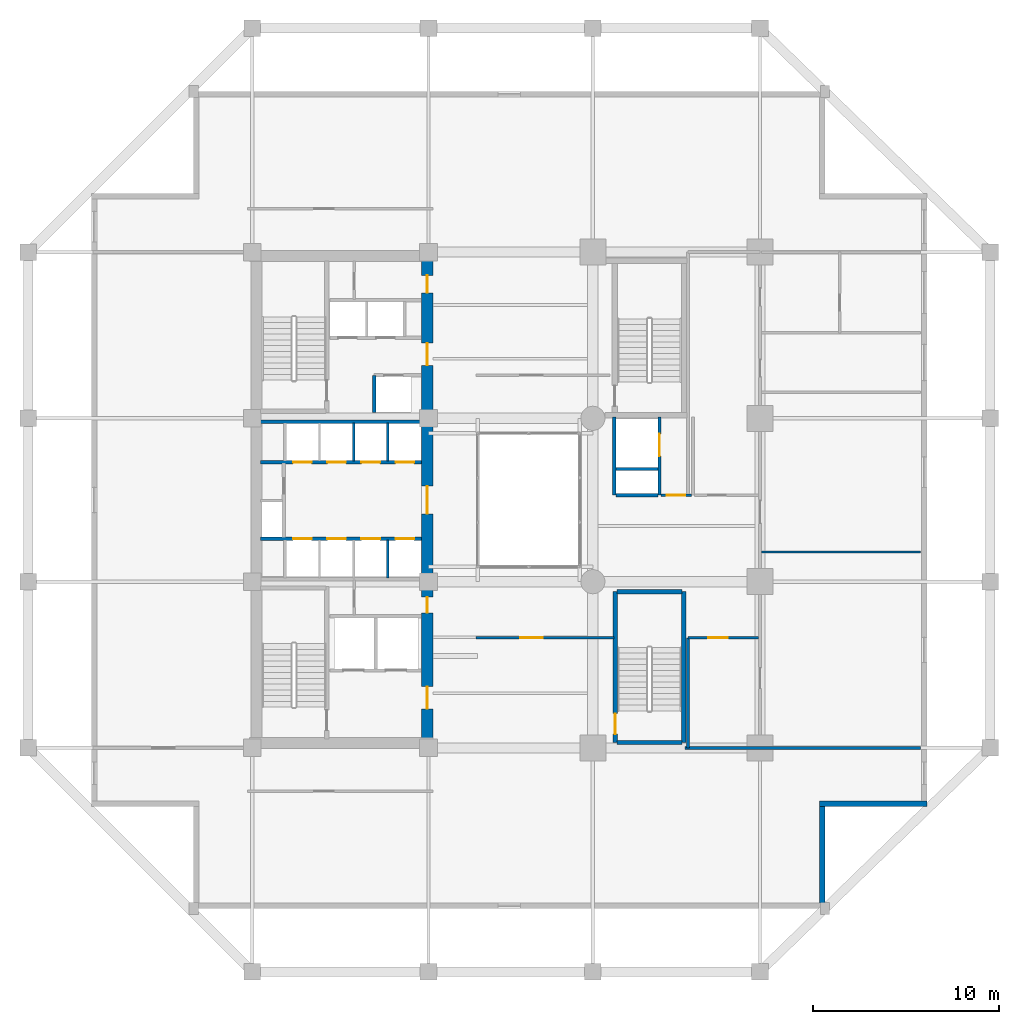
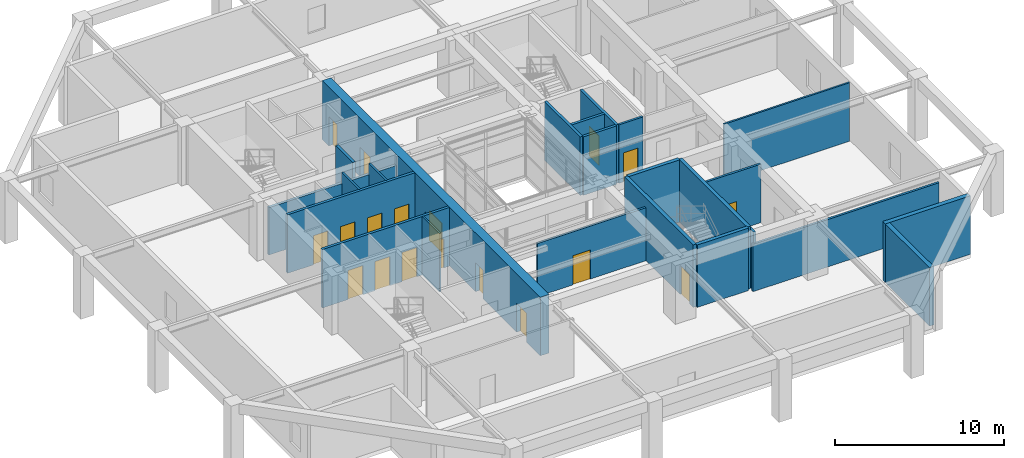
# One storey, part 7 of 10: 24 walls, 18 doors, 18 openings.
"""IFC4 building model written with IfcOpenShell, lengths in metres."""

from ifc_helpers import new_model, si_unit, direction, frame, frame_2d, origin, place, context, subcontext, project, spatial, rectangle, extrude, material, layer, layer_set, type_object, element, fill, save


model = new_model("IFC4")

# Units and contexts
model_context = context("Model", 3, precision=1e-05, world=origin(), true_north=direction((0.0, 1.0)))
body_context = subcontext(model_context, "Body", "Model", "MODEL_VIEW")
ifc_project = project(units=[si_unit("LENGTHUNIT", "METRE"), si_unit("AREAUNIT", "SQUARE_METRE"), si_unit("VOLUMEUNIT", "CUBIC_METRE"), si_unit("PLANEANGLEUNIT", "RADIAN"), si_unit("MASSUNIT", "GRAM", prefix="KILO")], contexts=[model_context])

# Site, building, storey
site_placement = place(None, origin())
site = spatial("IfcSite", under=ifc_project, at=site_placement, CompositionType="ELEMENT")
building_placement = place(site_placement, origin())
building = spatial("IfcBuilding", under=site, at=building_placement, Name="Kundavana Baori Tower", CompositionType="ELEMENT")
storey_placement = place(building_placement, frame((0.0, 0.0, 12.5)))
storey = spatial("IfcBuildingStorey", under=building, at=storey_placement, Name="L02", CompositionType="ELEMENT", Elevation=12.5)

# Wall, opening, door
ifc_material_1 = material(Name="Concrete C50/60", Category="concrete")
ifc_layer_1 = layer(ifc_material_1, 0.39990234375, Name="WL-CORE-400")
ifc_layer_set_1 = layer_set([ifc_layer_1], Name="Concrete C50/60")
wall_type_1 = type_object("IfcWallType", Name="WL-CORE-400", PredefinedType="SHEAR", material=ifc_layer_set_1)
wall_1_placement = place(storey_placement, frame((35.010009765625, 15.5400390625, 0.0), z_axis=(0.0, 0.0, 1.0), x_axis=(0.0, 1.0, 0.0)))
wall_1 = element("IfcWall", 1, at=wall_1_placement, inside=storey, type_object=wall_type_1, Name="WL-L02-ST4-W", PredefinedType="SHEAR", context=body_context, shape_type="SweptSolid", body=[
    extrude(rectangle(XDim=8.119873046875, YDim=0.239990234375, at=frame_2d((4.06005859375, 0.0))), origin(), (0.0, 0.0, 1.0), 4.5),
])
opening_1_placement = place(wall_1_placement, frame((0.449951171875, 0.0, 0.0)))
opening_1 = element("IfcOpeningElement", 2, at=opening_1_placement, cuts=wall_1, Name="Opening FD-110", PredefinedType="OPENING", context=body_context, shape_type="SweptSolid", body=[
    extrude(rectangle(XDim=1.10009765625, YDim=2.10009765625, at=frame_2d((0.550048828125, 1.050048828125))), frame((0.0, 0.1298828125, 0.0), z_axis=(0.0, -1.0, 0.0), x_axis=(1.0, 0.0, 0.0)), (0.0, 0.0, 1.0), 0.260009765625),
])
ifc_material_2 = material(Name="Galvanised Steel Fire-Rated Door Leaf", Category="steel")
door_type_1 = type_object("IfcDoorType", Name="DR-FD120-1100", OperationType="NOTDEFINED", PredefinedType="DOOR", material=ifc_material_2)
door_1_placement = place(opening_1_placement, origin())
door_1 = element("IfcDoor", 3, at=door_1_placement, inside=storey, type_object=door_type_1, Name="DR-L02-ST4", OperationType="SINGLE_SWING_RIGHT", OverallHeight=2.10009765625, OverallWidth=1.10009765625, PredefinedType="DOOR", context=body_context, shape_type="SweptSolid", body=[
    extrude(rectangle(XDim=1.10009765625, YDim=2.10009765625, at=frame_2d((0.550048828125, 1.050048828125))), frame((0.0, 0.02490234375, 0.0), z_axis=(0.0, -1.0, 0.0), x_axis=(1.0, 0.0, 0.0)), (0.0, 0.0, 1.0), 0.050048828125),
])
fill(opening_1, door_1)

# Walls
wall_2_placement = place(storey_placement, frame((38.68994140625, 15.5400390625, 0.0), z_axis=(0.0, 0.0, 1.0), x_axis=(0.0, 1.0, 0.0)))
element("IfcWall", 4, at=wall_2_placement, inside=storey, type_object=wall_type_1, Name="WL-L02-ST4-E", PredefinedType="SHEAR", context=body_context, shape_type="SweptSolid", body=[
    extrude(rectangle(XDim=8.119873046875, YDim=0.239990234375, at=frame_2d((4.06005859375, 0.0))), origin(), (0.0, 0.0, 1.0), 4.5),
])
for number, where, z_axis, x_axis, name in (
    (5, (35.10009765625, 15.5400390625, 0.0), (0.0, 0.0, 1.0), (1.0, 0.0, 0.0), "WL-L02-ST4-S"),
    (6, (35.10009765625, 23.659912109375, 0.0), (0.0, 0.0, 1.0), (1.0, 0.0, 0.0), "WL-L02-ST4-N"),
):
    element("IfcWall", number, at=place(storey_placement, frame(where, z_axis=z_axis, x_axis=x_axis)), inside=storey, type_object=wall_type_1, Name=name, PredefinedType="SHEAR", context=body_context, shape_type="SweptSolid", body=[
        extrude(rectangle(XDim=3.5, YDim=0.239990234375, at=frame_2d((1.75, 0.0))), origin(), (0.0, 0.0, 1.0), 4.5),
    ])

# Wall, openings, doors
ifc_material_3 = material(Name="Concrete C60/75", Category="concrete")
ifc_layer_2 = layer(ifc_material_3, 0.60009765625, Name="WL-CORE-600")
ifc_layer_set_2 = layer_set([ifc_layer_2], Name="Concrete C60/75")
wall_type_2 = type_object("IfcWallType", Name="WL-CORE-600", PredefinedType="SHEAR", material=ifc_layer_set_2)
wall_3_placement = place(storey_placement, frame((24.8798828125, 15.739990234375, 0.0), z_axis=(0.0, 0.0, 1.0), x_axis=(0.0, 1.0, 0.0)))
wall_3 = element("IfcWall", 7, at=wall_3_placement, inside=storey, type_object=wall_type_2, Name="L02 Offset Core East Shear Wall", PredefinedType="SHEAR", context=body_context, shape_type="SweptSolid", body=[
    extrude(rectangle(XDim=25.760009765625, YDim=0.60009765625, at=frame_2d((12.8798828125, 0.0))), origin(), (0.0, 0.0, 1.0), 4.219970703125),
])
opening_2_placement = place(wall_3_placement, frame((1.610107421875, 0.0, 0.0)))
opening_2 = element("IfcOpeningElement", 8, at=opening_2_placement, cuts=wall_3, Name="Opening FD-120", PredefinedType="OPENING", context=body_context, shape_type="SweptSolid", body=[
    extrude(rectangle(XDim=1.199951171875, YDim=2.10009765625, at=frame_2d((0.60009765625, 1.050048828125))), frame((0.0, 0.31005859375, 0.0), z_axis=(0.0, -1.0, 0.0), x_axis=(1.0, 0.0, 0.0)), (0.0, 0.0, 1.0), 0.6201171875),
])
opening_3_placement = place(wall_3_placement, frame((6.780029296875, 0.0, 0.0)))
opening_3 = element("IfcOpeningElement", 9, at=opening_3_placement, cuts=wall_3, Name="Opening FD-085", PredefinedType="OPENING", context=body_context, shape_type="SweptSolid", body=[
    extrude(rectangle(XDim=0.85009765625, YDim=2.06005859375, at=frame_2d((0.425048828125, 1.030029296875))), frame((0.0, 0.31005859375, 0.0), z_axis=(0.0, -1.0, 0.0), x_axis=(1.0, 0.0, 0.0)), (0.0, 0.0, 1.0), 0.6201171875),
])
opening_4_placement = place(wall_3_placement, frame((12.110107421875, 0.0, 0.0)))
opening_4 = element("IfcOpeningElement", 10, at=opening_4_placement, cuts=wall_3, Name="Opening FD-150", PredefinedType="OPENING", context=body_context, shape_type="SweptSolid", body=[
    extrude(rectangle(XDim=1.5, YDim=2.1201171875, at=frame_2d((0.75, 1.06005859375))), frame((0.0, 0.31005859375, 0.0), z_axis=(0.0, -1.0, 0.0), x_axis=(1.0, 0.0, 0.0)), (0.0, 0.0, 1.0), 0.6201171875),
])
opening_5_placement = place(wall_3_placement, frame((20.110107421875, 0.0, 0.0)))
opening_5 = element("IfcOpeningElement", 11, at=opening_5_placement, cuts=wall_3, Name="Opening FD-122", PredefinedType="OPENING", context=body_context, shape_type="SweptSolid", body=[
    extrude(rectangle(XDim=1.199951171875, YDim=2.1201171875, at=frame_2d((0.60009765625, 1.06005859375))), frame((0.0, 0.31005859375, 0.0), z_axis=(0.0, -1.0, 0.0), x_axis=(1.0, 0.0, 0.0)), (0.0, 0.0, 1.0), 0.6201171875),
])
opening_6_placement = place(wall_3_placement, frame((24.010009765625, 0.0, 0.0)))
opening_6 = element("IfcOpeningElement", 12, at=opening_6_placement, cuts=wall_3, Name="Opening FD-095", PredefinedType="OPENING", context=body_context, shape_type="SweptSolid", body=[
    extrude(rectangle(XDim=0.949951171875, YDim=2.10009765625, at=frame_2d((0.47509765625, 1.050048828125))), frame((0.0, 0.31005859375, 0.0), z_axis=(0.0, -1.0, 0.0), x_axis=(1.0, 0.0, 0.0)), (0.0, 0.0, 1.0), 0.6201171875),
])
ifc_material_4 = material(Name="Galvanised Steel Fire-Rated Door Leaf", Category="steel")
door_type_2 = type_object("IfcDoorType", Name="DR-FD120-1200", OperationType="NOTDEFINED", PredefinedType="DOOR", material=ifc_material_4)
door_2_placement = place(opening_2_placement, frame((1.199951171875, 0.0, 0.0), z_axis=(0.0, 0.0, 1.0), x_axis=(-1.0, 0.0, 0.0)))
door_2 = element("IfcDoor", 13, at=door_2_placement, inside=storey, type_object=door_type_2, Name="DR-L02-FFLOB-E", OperationType="SINGLE_SWING_RIGHT", OverallHeight=2.10009765625, OverallWidth=1.199951171875, PredefinedType="DOOR", context=body_context, shape_type="SweptSolid", body=[
    extrude(rectangle(XDim=1.199951171875, YDim=2.10009765625, at=frame_2d((0.60009765625, 1.050048828125))), frame((0.0, 0.02490234375, 0.0), z_axis=(0.0, -1.0, 0.0), x_axis=(1.0, 0.0, 0.0)), (0.0, 0.0, 1.0), 0.050048828125),
])
fill(opening_2, door_2)
ifc_material_5 = material(Name="Galvanised Steel Fire-Rated Door Leaf", Category="steel")
door_type_3 = type_object("IfcDoorType", Name="DR-FD60-1200", OperationType="NOTDEFINED", PredefinedType="DOOR", material=ifc_material_5)
door_3_placement = place(opening_5_placement, frame((1.199951171875, 0.0, 0.0), z_axis=(0.0, 0.0, 1.0), x_axis=(-1.0, 0.0, 0.0)))
door_3 = element("IfcDoor", 14, at=door_3_placement, inside=storey, type_object=door_type_3, Name="DR-L02-HRLOB-E", OperationType="SINGLE_SWING_RIGHT", OverallHeight=2.1201171875, OverallWidth=1.199951171875, PredefinedType="DOOR", context=body_context, shape_type="SweptSolid", body=[
    extrude(rectangle(XDim=1.199951171875, YDim=2.1201171875, at=frame_2d((0.60009765625, 1.06005859375))), frame((0.0, 0.02490234375, 0.0), z_axis=(0.0, -1.0, 0.0), x_axis=(1.0, 0.0, 0.0)), (0.0, 0.0, 1.0), 0.050048828125),
])
fill(opening_5, door_3)
ifc_material_6 = material(Name="Galvanised Steel Fire-Rated Door Leaf", Category="steel")
door_type_4 = type_object("IfcDoorType", Name="DR-FD60-1500", OperationType="NOTDEFINED", PredefinedType="DOOR", material=ifc_material_6)
door_4_placement = place(opening_4_placement, frame((1.5, 0.0, 0.0), z_axis=(0.0, 0.0, 1.0), x_axis=(-1.0, 0.0, 0.0)))
door_4 = element("IfcDoor", 15, at=door_4_placement, inside=storey, type_object=door_type_4, Name="DR-L02-LIFTHALL-E", OperationType="SINGLE_SWING_LEFT", OverallHeight=2.1201171875, OverallWidth=1.5, PredefinedType="DOOR", context=body_context, shape_type="SweptSolid", body=[
    extrude(rectangle(XDim=1.5, YDim=2.1201171875, at=frame_2d((0.75, 1.06005859375))), frame((0.0, 0.02490234375, 0.0), z_axis=(0.0, -1.0, 0.0), x_axis=(1.0, 0.0, 0.0)), (0.0, 0.0, 1.0), 0.050048828125),
])
fill(opening_4, door_4)
ifc_material_7 = material(Name="Galvanised Steel Fire-Rated Door Leaf", Category="steel")
door_type_5 = type_object("IfcDoorType", Name="DR-FD60-850", OperationType="NOTDEFINED", PredefinedType="DOOR", material=ifc_material_7)
door_5_placement = place(opening_3_placement, frame((0.85009765625, 0.0, 0.0), z_axis=(0.0, 0.0, 1.0), x_axis=(-1.0, 0.0, 0.0)))
door_5 = element("IfcDoor", 16, at=door_5_placement, inside=storey, type_object=door_type_5, Name="DR-L02-CSMK2", OperationType="SINGLE_SWING_LEFT", OverallHeight=2.06005859375, OverallWidth=0.85009765625, PredefinedType="DOOR", context=body_context, shape_type="SweptSolid", body=[
    extrude(rectangle(XDim=0.85009765625, YDim=2.06005859375, at=frame_2d((0.425048828125, 1.030029296875))), frame((0.0, 0.02490234375, 0.0), z_axis=(0.0, -1.0, 0.0), x_axis=(1.0, 0.0, 0.0)), (0.0, 0.0, 1.0), 0.050048828125),
])
fill(opening_3, door_5)
ifc_material_8 = material(Name="Engineered Teak Fire-Rated Timber Door Leaf", Category="wood")
door_type_6 = type_object("IfcDoorType", Name="DR-FD60-950", OperationType="NOTDEFINED", PredefinedType="DOOR", material=ifc_material_8)
door_6_placement = place(opening_6_placement, frame((0.949951171875, 0.0, 0.0), z_axis=(0.0, 0.0, 1.0), x_axis=(-1.0, 0.0, 0.0)))
door_6 = element("IfcDoor", 17, at=door_6_placement, inside=storey, type_object=door_type_6, Name="DR-L02-CSRV2", OperationType="SINGLE_SWING_LEFT", OverallHeight=2.10009765625, OverallWidth=0.949951171875, PredefinedType="DOOR", context=body_context, shape_type="SweptSolid", body=[
    extrude(rectangle(XDim=0.949951171875, YDim=2.10009765625, at=frame_2d((0.47509765625, 1.050048828125))), frame((0.0, 0.02490234375, 0.0), z_axis=(0.0, -1.0, 0.0), x_axis=(1.0, 0.0, 0.0)), (0.0, 0.0, 1.0), 0.050048828125),
])
fill(opening_6, door_6)

# Walls
ifc_material_9 = material(Name="Red-Buff Dholpur Sandstone Cladding on Concrete C40/50", Category="masonry")
ifc_layer_3 = layer(ifc_material_9, 0.300048828125, Name="WL-EXT-SAND-300")
ifc_layer_set_3 = layer_set([ifc_layer_3], Name="Red-Buff Dholpur Sandstone Cladding on Concrete C40/50")
wall_type_3 = type_object("IfcWallType", Name="WL-EXT-SAND-300", PredefinedType="STANDARD", material=ifc_layer_set_3)
wall_4_placement = place(storey_placement, frame((46.14990234375, 6.89990234375, 0.0), z_axis=(0.0, 0.0, 1.0), x_axis=(0.0, 1.0, 0.0)))
element("IfcWall", 18, at=wall_4_placement, inside=storey, type_object=wall_type_3, Name="L02 Exterior Insulated Facade Wall 02", PredefinedType="STANDARD", context=body_context, shape_type="SweptSolid", body=[
    extrude(rectangle(XDim=5.2001953125, YDim=0.300048828125, at=frame_2d((2.60009765625, 0.0))), origin(), (0.0, 0.0, 1.0), 4.219970703125),
])
wall_5_placement = place(storey_placement, frame((46.0, 12.25, 0.0), z_axis=(0.0, 0.0, 1.0), x_axis=(1.0, 0.0, 0.0)))
element("IfcWall", 19, at=wall_5_placement, inside=storey, type_object=wall_type_3, Name="L02 Exterior Insulated Facade Wall 03", PredefinedType="STANDARD", context=body_context, shape_type="SweptSolid", body=[
    extrude(rectangle(XDim=5.800048828125, YDim=0.300048828125, at=frame_2d((2.89990234375, 0.0))), origin(), (0.0, 0.0, 1.0), 4.219970703125),
])
ifc_material_10 = material(Name="Acoustic Gypsum Plasterboard on Galvanised Steel Studs", Category="steel")
ifc_layer_4 = layer(ifc_material_10, 0.1201171875, Name="WL-PART-120")
ifc_layer_set_4 = layer_set([ifc_layer_4], Name="Acoustic Gypsum Plasterboard on Galvanised Steel Studs")
wall_type_4 = type_object("IfcWallType", Name="WL-PART-120", PredefinedType="PARTITIONING", material=ifc_layer_set_4)
for number, where, z_axis, x_axis, name in (
    (20, (22.760009765625, 24.39990234375, 0.0), (0.0, 0.0, 1.0), (0.0, 1.0, 0.0), "WL-L02-LPLOW-D3"),
    (21, (20.919921875, 30.699951171875, 0.0), (0.0, 0.0, 1.0), (0.0, 1.0, 0.0), "WL-L02-LPMID-D2"),
    (22, (22.760009765625, 30.699951171875, 0.0), (0.0, 0.0, 1.0), (0.0, 1.0, 0.0), "WL-L02-LPMID-D3"),
):
    element("IfcWall", number, at=place(storey_placement, frame(where, z_axis=z_axis, x_axis=x_axis)), inside=storey, type_object=wall_type_4, Name=name, PredefinedType="PARTITIONING", context=body_context, shape_type="SweptSolid", body=[
        extrude(rectangle(XDim=2.050048828125, YDim=0.1201171875, at=frame_2d((1.02490234375, 0.0))), origin(), (0.0, 0.0, 1.0), 4.219970703125),
    ])
wall_6_placement = place(storey_placement, frame((42.8798828125, 25.800048828125, 0.0), z_axis=(0.0, 0.0, 1.0), x_axis=(1.0, 0.0, 0.0)))
element("IfcWall", 23, at=wall_6_placement, inside=storey, type_object=wall_type_4, Name="WL-L02-ED1", PredefinedType="PARTITIONING", context=body_context, shape_type="SweptSolid", body=[
    extrude(rectangle(XDim=8.570068359375, YDim=0.1201171875, at=frame_2d((4.28515625, 0.0))), origin(), (0.0, 0.0, 1.0), 4.219970703125),
])

# Wall, opening, door
ifc_material_11 = material(Name="Fire-Rated Gypsum Drywall on Galvanised Steel Studs", Category="steel")
ifc_layer_5 = layer(ifc_material_11, 0.14990234375, Name="WL-PART-150")
ifc_layer_set_5 = layer_set([ifc_layer_5], Name="Fire-Rated Gypsum Drywall on Galvanised Steel Studs")
wall_type_5 = type_object("IfcWallType", Name="WL-PART-150", PredefinedType="PARTITIONING", material=ifc_layer_set_5)
wall_7_placement = place(storey_placement, frame((37.47998046875, 28.860107421875, 0.0), z_axis=(0.0, 0.0, 1.0), x_axis=(1.0, 0.0, 0.0)))
wall_7 = element("IfcWall", 24, at=wall_7_placement, inside=storey, type_object=wall_type_5, Name="WL-L02-SVLOB-S", PredefinedType="PARTITIONING", context=body_context, shape_type="SweptSolid", body=[
    extrude(rectangle(XDim=1.64013671875, YDim=0.14990234375, at=frame_2d((0.820068359375, 0.0))), origin(), (0.0, 0.0, 1.0), 4.219970703125),
])
opening_7_placement = place(wall_7_placement, frame((0.300048828125, 0.0, 0.0)))
opening_7 = element("IfcOpeningElement", 25, at=opening_7_placement, cuts=wall_7, Name="Opening FD-100", PredefinedType="OPENING", context=body_context, shape_type="SweptSolid", body=[
    extrude(rectangle(XDim=1.0, YDim=2.10009765625, at=frame_2d((0.5, 1.050048828125))), frame((0.0, 0.0849609375, 0.0), z_axis=(0.0, -1.0, 0.0), x_axis=(1.0, 0.0, 0.0)), (0.0, 0.0, 1.0), 0.169921875),
])
ifc_material_12 = material(Name="Engineered Teak Fire-Rated Timber Door Leaf", Category="wood")
door_type_7 = type_object("IfcDoorType", Name="DR-FD60-1000", OperationType="NOTDEFINED", PredefinedType="DOOR", material=ifc_material_12)
door_7_placement = place(opening_7_placement, origin())
door_7 = element("IfcDoor", 26, at=door_7_placement, inside=storey, type_object=door_type_7, Name="DR-L02-SVLOB-OUT", OperationType="SINGLE_SWING_LEFT", OverallHeight=2.10009765625, OverallWidth=1.0, PredefinedType="DOOR", context=body_context, shape_type="SweptSolid", body=[
    extrude(rectangle(XDim=1.0, YDim=2.10009765625, at=frame_2d((0.5, 1.050048828125))), frame((0.0, 0.02490234375, 0.0), z_axis=(0.0, -1.0, 0.0), x_axis=(1.0, 0.0, 0.0)), (0.0, 0.0, 1.0), 0.050048828125),
])
fill(opening_7, door_7)

wall_8_placement = place(storey_placement, frame((27.5, 21.179931640625, 0.0), z_axis=(0.0, 0.0, 1.0), x_axis=(1.0, 0.0, 0.0)))
wall_8 = element("IfcWall", 27, at=wall_8_placement, inside=storey, type_object=wall_type_5, Name="WL-L02-PODS", PredefinedType="PARTITIONING", context=body_context, shape_type="SweptSolid", body=[
    extrude(rectangle(XDim=7.449951171875, YDim=0.14990234375, at=frame_2d((3.72509765625, 0.0))), origin(), (0.0, 0.0, 1.0), 3.820068359375),
])
opening_8_placement = place(wall_8_placement, frame((2.39990234375, 0.0, 0.0)))
opening_8 = element("IfcOpeningElement", 28, at=opening_8_placement, cuts=wall_8, Name="Opening ID-120", PredefinedType="OPENING", context=body_context, shape_type="SweptSolid", body=[
    extrude(rectangle(XDim=1.199951171875, YDim=2.10009765625, at=frame_2d((0.60009765625, 1.050048828125))), frame((0.0, 0.0849609375, 0.0), z_axis=(0.0, -1.0, 0.0), x_axis=(1.0, 0.0, 0.0)), (0.0, 0.0, 1.0), 0.169921875),
])
ifc_material_13 = material(Name="Engineered Teak Solid-Core Timber Veneer", Category="wood")
door_type_8 = type_object("IfcDoorType", Name="DR-INT-1200", OperationType="NOTDEFINED", PredefinedType="DOOR", material=ifc_material_13)
door_8_placement = place(opening_8_placement, frame((1.199951171875, 0.0, 0.0), z_axis=(0.0, 0.0, 1.0), x_axis=(-1.0, 0.0, 0.0)))
door_8 = element("IfcDoor", 29, at=door_8_placement, inside=storey, type_object=door_type_8, Name="DR-L02-RETS", OperationType="SINGLE_SWING_LEFT", OverallHeight=2.10009765625, OverallWidth=1.199951171875, PredefinedType="DOOR", context=body_context, shape_type="SweptSolid", body=[
    extrude(rectangle(XDim=1.199951171875, YDim=2.10009765625, at=frame_2d((0.60009765625, 1.050048828125))), frame((0.0, 0.02490234375, 0.0), z_axis=(0.0, -1.0, 0.0), x_axis=(1.0, 0.0, 0.0)), (0.0, 0.0, 1.0), 0.050048828125),
])
fill(opening_8, door_8)

# Wall
wall_9_placement = place(storey_placement, frame((38.75, 15.25, 0.0), z_axis=(0.0, 0.0, 1.0), x_axis=(1.0, 0.0, 0.0)))
element("IfcWall", 30, at=wall_9_placement, inside=storey, type_object=wall_type_5, Name="WL-L02-PODE-S", PredefinedType="PARTITIONING", context=body_context, shape_type="SweptSolid", body=[
    extrude(rectangle(XDim=12.699951171875, YDim=0.14990234375, at=frame_2d((6.35009765625, 0.0))), origin(), (0.0, 0.0, 1.0), 3.419921875),
])

# Wall, opening, door
wall_10_placement = place(storey_placement, frame((38.919921875, 21.179931640625, 0.0), z_axis=(0.0, 0.0, 1.0), x_axis=(1.0, 0.0, 0.0)))
wall_10 = element("IfcWall", 31, at=wall_10_placement, inside=storey, type_object=wall_type_5, Name="WL-L02-PSEBN", PredefinedType="PARTITIONING", context=body_context, shape_type="SweptSolid", body=[
    extrude(rectangle(XDim=3.800048828125, YDim=0.14990234375, at=frame_2d((1.89990234375, 0.0))), origin(), (0.0, 0.0, 1.0), 4.219970703125),
])
opening_9_placement = place(wall_10_placement, frame((1.10009765625, 0.0, 0.0)))
opening_9 = element("IfcOpeningElement", 32, at=opening_9_placement, cuts=wall_10, Name="Opening ID-105", PredefinedType="OPENING", context=body_context, shape_type="SweptSolid", body=[
    extrude(rectangle(XDim=1.050048828125, YDim=2.10009765625, at=frame_2d((0.52490234375, 1.050048828125))), frame((0.0, 0.0849609375, 0.0), z_axis=(0.0, -1.0, 0.0), x_axis=(1.0, 0.0, 0.0)), (0.0, 0.0, 1.0), 0.169921875),
])
ifc_material_14 = material(Name="Engineered Teak Solid-Core Timber Veneer", Category="wood")
door_type_9 = type_object("IfcDoorType", Name="DR-INT-1050", OperationType="NOTDEFINED", PredefinedType="DOOR", material=ifc_material_14)
door_9_placement = place(opening_9_placement, origin())
door_9 = element("IfcDoor", 33, at=door_9_placement, inside=storey, type_object=door_type_9, Name="DR-L02-BKSE", OperationType="SINGLE_SWING_LEFT", OverallHeight=2.10009765625, OverallWidth=1.050048828125, PredefinedType="DOOR", context=body_context, shape_type="SweptSolid", body=[
    extrude(rectangle(XDim=1.050048828125, YDim=2.10009765625, at=frame_2d((0.52490234375, 1.050048828125))), frame((0.0, 0.02490234375, 0.0), z_axis=(0.0, -1.0, 0.0), x_axis=(1.0, 0.0, 0.0)), (0.0, 0.0, 1.0), 0.050048828125),
])
fill(opening_9, door_9)

# Wall
wall_11_placement = place(storey_placement, frame((38.919921875, 15.25, 0.0), z_axis=(0.0, 0.0, 1.0), x_axis=(0.0, 1.0, 0.0)))
element("IfcWall", 34, at=wall_11_placement, inside=storey, type_object=wall_type_5, Name="WL-L02-PSEBW", PredefinedType="PARTITIONING", context=body_context, shape_type="SweptSolid", body=[
    extrude(rectangle(XDim=5.929931640625, YDim=0.14990234375, at=frame_2d((2.96484375, 0.0))), origin(), (0.0, 0.0, 1.0), 4.219970703125),
])

# Wall, openings, doors
ifc_material_15 = material(Name="Autoclaved Aerated Concrete Blockwork Masonry", Category="masonry")
ifc_layer_6 = layer(ifc_material_15, 0.179931640625, Name="WL-SHAFT-180")
ifc_layer_set_6 = layer_set([ifc_layer_6], Name="Autoclaved Aerated Concrete Blockwork Masonry")
wall_type_6 = type_object("IfcWallType", Name="WL-SHAFT-180", PredefinedType="SOLIDWALL", material=ifc_layer_set_6)
wall_12_placement = place(storey_placement, frame((15.89990234375, 26.52001953125, 0.0), z_axis=(0.0, 0.0, 1.0), x_axis=(1.0, 0.0, 0.0)))
wall_12 = element("IfcWall", 35, at=wall_12_placement, inside=storey, type_object=wall_type_6, Name="WL-L02-LPLOW-N", PredefinedType="SOLIDWALL", context=body_context, shape_type="SweptSolid", body=[
    extrude(rectangle(XDim=8.68017578125, YDim=0.179931640625, at=frame_2d((4.340087890625, 0.0))), origin(), (0.0, 0.0, 1.0), 4.219970703125),
])
opening_10_placement = place(wall_12_placement, frame((1.760009765625, 0.0, 0.0)))
opening_10 = element("IfcOpeningElement", 36, at=opening_10_placement, cuts=wall_12, Name="Opening LD-100", PredefinedType="OPENING", context=body_context, shape_type="SweptSolid", body=[
    extrude(rectangle(XDim=1.0, YDim=2.10009765625, at=frame_2d((0.5, 1.050048828125))), frame((0.0, 0.10009765625, 0.0), z_axis=(0.0, -1.0, 0.0), x_axis=(1.0, 0.0, 0.0)), (0.0, 0.0, 1.0), 0.199951171875),
])
opening_11_placement = place(wall_12_placement, frame((3.60009765625, 0.0, 0.0)))
opening_11 = element("IfcOpeningElement", 37, at=opening_11_placement, cuts=wall_12, Name="Opening LD-100", PredefinedType="OPENING", context=body_context, shape_type="SweptSolid", body=[
    extrude(rectangle(XDim=1.0, YDim=2.10009765625, at=frame_2d((0.5, 1.050048828125))), frame((0.0, 0.10009765625, 0.0), z_axis=(0.0, -1.0, 0.0), x_axis=(1.0, 0.0, 0.0)), (0.0, 0.0, 1.0), 0.199951171875),
])
opening_12_placement = place(wall_12_placement, frame((5.43994140625, 0.0, 0.0)))
opening_12 = element("IfcOpeningElement", 38, at=opening_12_placement, cuts=wall_12, Name="Opening LD-100", PredefinedType="OPENING", context=body_context, shape_type="SweptSolid", body=[
    extrude(rectangle(XDim=1.0, YDim=2.10009765625, at=frame_2d((0.5, 1.050048828125))), frame((0.0, 0.10009765625, 0.0), z_axis=(0.0, -1.0, 0.0), x_axis=(1.0, 0.0, 0.0)), (0.0, 0.0, 1.0), 0.199951171875),
])
opening_13_placement = place(wall_12_placement, frame((7.280029296875, 0.0, 0.0)))
opening_13 = element("IfcOpeningElement", 39, at=opening_13_placement, cuts=wall_12, Name="Opening LD-100", PredefinedType="OPENING", context=body_context, shape_type="SweptSolid", body=[
    extrude(rectangle(XDim=1.0, YDim=2.10009765625, at=frame_2d((0.5, 1.050048828125))), frame((0.0, 0.10009765625, 0.0), z_axis=(0.0, -1.0, 0.0), x_axis=(1.0, 0.0, 0.0)), (0.0, 0.0, 1.0), 0.199951171875),
])
ifc_material_16 = material(Name="Galvanised Steel Fire-Rated Door Leaf", Category="steel")
door_type_10 = type_object("IfcDoorType", Name="DR-SLIDE-LD1000", OperationType="NOTDEFINED", PredefinedType="DOOR", material=ifc_material_16)
door_10_placement = place(opening_10_placement, origin())
door_10 = element("IfcDoor", 40, at=door_10_placement, inside=storey, type_object=door_type_10, Name="DR-L02-LD-LP-01", OperationType="DOUBLE_DOOR_SLIDING", OverallHeight=2.10009765625, OverallWidth=1.0, PredefinedType="DOOR", context=body_context, shape_type="SweptSolid", body=[
    extrude(rectangle(XDim=1.0, YDim=2.10009765625, at=frame_2d((0.5, 1.050048828125))), frame((0.0, 0.02490234375, 0.0), z_axis=(0.0, -1.0, 0.0), x_axis=(1.0, 0.0, 0.0)), (0.0, 0.0, 1.0), 0.050048828125),
])
fill(opening_10, door_10)
door_11_placement = place(opening_11_placement, origin())
door_11 = element("IfcDoor", 41, at=door_11_placement, inside=storey, type_object=door_type_10, Name="DR-L02-LD-LP-02", OperationType="DOUBLE_DOOR_SLIDING", OverallHeight=2.10009765625, OverallWidth=1.0, PredefinedType="DOOR", context=body_context, shape_type="SweptSolid", body=[
    extrude(rectangle(XDim=1.0, YDim=2.10009765625, at=frame_2d((0.5, 1.050048828125))), frame((0.0, 0.02490234375, 0.0), z_axis=(0.0, -1.0, 0.0), x_axis=(1.0, 0.0, 0.0)), (0.0, 0.0, 1.0), 0.050048828125),
])
fill(opening_11, door_11)
door_12_placement = place(opening_12_placement, origin())
door_12 = element("IfcDoor", 42, at=door_12_placement, inside=storey, type_object=door_type_10, Name="DR-L02-LD-LP-03", OperationType="DOUBLE_DOOR_SLIDING", OverallHeight=2.10009765625, OverallWidth=1.0, PredefinedType="DOOR", context=body_context, shape_type="SweptSolid", body=[
    extrude(rectangle(XDim=1.0, YDim=2.10009765625, at=frame_2d((0.5, 1.050048828125))), frame((0.0, 0.02490234375, 0.0), z_axis=(0.0, -1.0, 0.0), x_axis=(1.0, 0.0, 0.0)), (0.0, 0.0, 1.0), 0.050048828125),
])
fill(opening_12, door_12)
door_13_placement = place(opening_13_placement, origin())
door_13 = element("IfcDoor", 43, at=door_13_placement, inside=storey, type_object=door_type_10, Name="DR-L02-LD-LP-04", OperationType="DOUBLE_DOOR_SLIDING", OverallHeight=2.10009765625, OverallWidth=1.0, PredefinedType="DOOR", context=body_context, shape_type="SweptSolid", body=[
    extrude(rectangle(XDim=1.0, YDim=2.10009765625, at=frame_2d((0.5, 1.050048828125))), frame((0.0, 0.02490234375, 0.0), z_axis=(0.0, -1.0, 0.0), x_axis=(1.0, 0.0, 0.0)), (0.0, 0.0, 1.0), 0.050048828125),
])
fill(opening_13, door_13)

wall_13_placement = place(storey_placement, frame((15.89990234375, 30.639892578125, 0.0), z_axis=(0.0, 0.0, 1.0), x_axis=(1.0, 0.0, 0.0)))
wall_13 = element("IfcWall", 44, at=wall_13_placement, inside=storey, type_object=wall_type_6, Name="WL-L02-LPMID-S", PredefinedType="SOLIDWALL", context=body_context, shape_type="SweptSolid", body=[
    extrude(rectangle(XDim=8.68017578125, YDim=0.179931640625, at=frame_2d((4.340087890625, 0.0))), origin(), (0.0, 0.0, 1.0), 4.219970703125),
])
opening_14_placement = place(wall_13_placement, frame((1.760009765625, 0.0, 0.0)))
opening_14 = element("IfcOpeningElement", 45, at=opening_14_placement, cuts=wall_13, Name="Opening LD-100", PredefinedType="OPENING", context=body_context, shape_type="SweptSolid", body=[
    extrude(rectangle(XDim=1.0, YDim=2.10009765625, at=frame_2d((0.5, 1.050048828125))), frame((0.0, 0.10009765625, 0.0), z_axis=(0.0, -1.0, 0.0), x_axis=(1.0, 0.0, 0.0)), (0.0, 0.0, 1.0), 0.199951171875),
])
opening_15_placement = place(wall_13_placement, frame((3.60009765625, 0.0, 0.0)))
opening_15 = element("IfcOpeningElement", 46, at=opening_15_placement, cuts=wall_13, Name="Opening LD-100", PredefinedType="OPENING", context=body_context, shape_type="SweptSolid", body=[
    extrude(rectangle(XDim=1.0, YDim=2.10009765625, at=frame_2d((0.5, 1.050048828125))), frame((0.0, 0.10009765625, 0.0), z_axis=(0.0, -1.0, 0.0), x_axis=(1.0, 0.0, 0.0)), (0.0, 0.0, 1.0), 0.199951171875),
])
opening_16_placement = place(wall_13_placement, frame((5.43994140625, 0.0, 0.0)))
opening_16 = element("IfcOpeningElement", 47, at=opening_16_placement, cuts=wall_13, Name="Opening LD-100", PredefinedType="OPENING", context=body_context, shape_type="SweptSolid", body=[
    extrude(rectangle(XDim=1.0, YDim=2.10009765625, at=frame_2d((0.5, 1.050048828125))), frame((0.0, 0.10009765625, 0.0), z_axis=(0.0, -1.0, 0.0), x_axis=(1.0, 0.0, 0.0)), (0.0, 0.0, 1.0), 0.199951171875),
])
opening_17_placement = place(wall_13_placement, frame((7.280029296875, 0.0, 0.0)))
opening_17 = element("IfcOpeningElement", 48, at=opening_17_placement, cuts=wall_13, Name="Opening LD-100", PredefinedType="OPENING", context=body_context, shape_type="SweptSolid", body=[
    extrude(rectangle(XDim=1.0, YDim=2.10009765625, at=frame_2d((0.5, 1.050048828125))), frame((0.0, 0.10009765625, 0.0), z_axis=(0.0, -1.0, 0.0), x_axis=(1.0, 0.0, 0.0)), (0.0, 0.0, 1.0), 0.199951171875),
])
door_14_placement = place(opening_14_placement, frame((1.0, 0.0, 0.0), z_axis=(0.0, 0.0, 1.0), x_axis=(-1.0, 0.0, 0.0)))
door_14 = element("IfcDoor", 49, at=door_14_placement, inside=storey, type_object=door_type_10, Name="DR-L02-LD-LP-05", OperationType="DOUBLE_DOOR_SLIDING", OverallHeight=2.10009765625, OverallWidth=1.0, PredefinedType="DOOR", context=body_context, shape_type="SweptSolid", body=[
    extrude(rectangle(XDim=1.0, YDim=2.10009765625, at=frame_2d((0.5, 1.050048828125))), frame((0.0, 0.02490234375, 0.0), z_axis=(0.0, -1.0, 0.0), x_axis=(1.0, 0.0, 0.0)), (0.0, 0.0, 1.0), 0.050048828125),
])
fill(opening_14, door_14)
door_15_placement = place(opening_15_placement, frame((1.0, 0.0, 0.0), z_axis=(0.0, 0.0, 1.0), x_axis=(-1.0, 0.0, 0.0)))
door_15 = element("IfcDoor", 50, at=door_15_placement, inside=storey, type_object=door_type_10, Name="DR-L02-LD-LP-06", OperationType="DOUBLE_DOOR_SLIDING", OverallHeight=2.10009765625, OverallWidth=1.0, PredefinedType="DOOR", context=body_context, shape_type="SweptSolid", body=[
    extrude(rectangle(XDim=1.0, YDim=2.10009765625, at=frame_2d((0.5, 1.050048828125))), frame((0.0, 0.02490234375, 0.0), z_axis=(0.0, -1.0, 0.0), x_axis=(1.0, 0.0, 0.0)), (0.0, 0.0, 1.0), 0.050048828125),
])
fill(opening_15, door_15)
door_16_placement = place(opening_16_placement, frame((1.0, 0.0, 0.0), z_axis=(0.0, 0.0, 1.0), x_axis=(-1.0, 0.0, 0.0)))
door_16 = element("IfcDoor", 51, at=door_16_placement, inside=storey, type_object=door_type_10, Name="DR-L02-LD-LP-07", OperationType="DOUBLE_DOOR_SLIDING", OverallHeight=2.10009765625, OverallWidth=1.0, PredefinedType="DOOR", context=body_context, shape_type="SweptSolid", body=[
    extrude(rectangle(XDim=1.0, YDim=2.10009765625, at=frame_2d((0.5, 1.050048828125))), frame((0.0, 0.02490234375, 0.0), z_axis=(0.0, -1.0, 0.0), x_axis=(1.0, 0.0, 0.0)), (0.0, 0.0, 1.0), 0.050048828125),
])
fill(opening_16, door_16)
door_17_placement = place(opening_17_placement, frame((1.0, 0.0, 0.0), z_axis=(0.0, 0.0, 1.0), x_axis=(-1.0, 0.0, 0.0)))
door_17 = element("IfcDoor", 52, at=door_17_placement, inside=storey, type_object=door_type_10, Name="DR-L02-LD-LP-08", OperationType="DOUBLE_DOOR_SLIDING", OverallHeight=2.10009765625, OverallWidth=1.0, PredefinedType="DOOR", context=body_context, shape_type="SweptSolid", body=[
    extrude(rectangle(XDim=1.0, YDim=2.10009765625, at=frame_2d((0.5, 1.050048828125))), frame((0.0, 0.02490234375, 0.0), z_axis=(0.0, -1.0, 0.0), x_axis=(1.0, 0.0, 0.0)), (0.0, 0.0, 1.0), 0.050048828125),
])
fill(opening_17, door_17)

# Walls
wall_14_placement = place(storey_placement, frame((15.89990234375, 32.820068359375, 0.0), z_axis=(0.0, 0.0, 1.0), x_axis=(1.0, 0.0, 0.0)))
element("IfcWall", 53, at=wall_14_placement, inside=storey, type_object=wall_type_6, Name="WL-L02-LPMID-N", PredefinedType="SOLIDWALL", context=body_context, shape_type="SweptSolid", body=[
    extrude(rectangle(XDim=8.68017578125, YDim=0.179931640625, at=frame_2d((4.340087890625, 0.0))), origin(), (0.0, 0.0, 1.0), 3.419921875),
])
wall_15_placement = place(storey_placement, frame((22.02001953125, 33.300048828125, 0.0), z_axis=(0.0, 0.0, 1.0), x_axis=(0.0, 1.0, 0.0)))
element("IfcWall", 54, at=wall_15_placement, inside=storey, type_object=wall_type_6, Name="WL-L02-LP11-W", PredefinedType="SOLIDWALL", context=body_context, shape_type="SweptSolid", body=[
    extrude(rectangle(XDim=2.010009765625, YDim=0.179931640625, at=frame_2d((1.0048828125, 0.0))), origin(), (0.0, 0.0, 1.0), 4.219970703125),
])
wall_16_placement = place(storey_placement, frame((34.9599609375, 28.860107421875, 0.0), z_axis=(0.0, 0.0, 1.0), x_axis=(0.0, 1.0, 0.0)))
element("IfcWall", 55, at=wall_16_placement, inside=storey, type_object=wall_type_6, Name="WL-L02-SVL-W", PredefinedType="SOLIDWALL", context=body_context, shape_type="SweptSolid", body=[
    extrude(rectangle(XDim=4.219970703125, YDim=0.179931640625, at=frame_2d((2.10986328125, 0.0))), origin(), (0.0, 0.0, 1.0), 4.219970703125),
])

# Wall, opening, door
wall_17_placement = place(storey_placement, frame((37.389892578125, 28.860107421875, 0.0), z_axis=(0.0, 0.0, 1.0), x_axis=(0.0, 1.0, 0.0)))
wall_17 = element("IfcWall", 56, at=wall_17_placement, inside=storey, type_object=wall_type_6, Name="WL-L02-SVL-E", PredefinedType="SOLIDWALL", context=body_context, shape_type="SweptSolid", body=[
    extrude(rectangle(XDim=4.219970703125, YDim=0.179931640625, at=frame_2d((2.10986328125, 0.0))), origin(), (0.0, 0.0, 1.0), 4.219970703125),
])
opening_18_placement = place(wall_17_placement, frame((2.10009765625, 0.0, 0.0)))
opening_18 = element("IfcOpeningElement", 57, at=opening_18_placement, cuts=wall_17, Name="Opening LD-120", PredefinedType="OPENING", context=body_context, shape_type="SweptSolid", body=[
    extrude(rectangle(XDim=1.199951171875, YDim=2.1201171875, at=frame_2d((0.60009765625, 1.06005859375))), frame((0.0, 0.10009765625, 0.0), z_axis=(0.0, -1.0, 0.0), x_axis=(1.0, 0.0, 0.0)), (0.0, 0.0, 1.0), 0.199951171875),
])
ifc_material_17 = material(Name="Galvanised Steel Fire-Rated Door Leaf", Category="steel")
door_type_11 = type_object("IfcDoorType", Name="DR-SLIDE-LD1200", OperationType="NOTDEFINED", PredefinedType="DOOR", material=ifc_material_17)
door_18_placement = place(opening_18_placement, frame((1.199951171875, 0.0, 0.0), z_axis=(0.0, 0.0, 1.0), x_axis=(-1.0, 0.0, 0.0)))
door_18 = element("IfcDoor", 58, at=door_18_placement, inside=storey, type_object=door_type_11, Name="DR-L02-LD-SVL1", OperationType="DOUBLE_DOOR_SLIDING", OverallHeight=2.1201171875, OverallWidth=1.199951171875, PredefinedType="DOOR", context=body_context, shape_type="SweptSolid", body=[
    extrude(rectangle(XDim=1.199951171875, YDim=2.1201171875, at=frame_2d((0.60009765625, 1.06005859375))), frame((0.0, 0.02490234375, 0.0), z_axis=(0.0, -1.0, 0.0), x_axis=(1.0, 0.0, 0.0)), (0.0, 0.0, 1.0), 0.050048828125),
])
fill(opening_18, door_18)

# Walls
for number, where, z_axis, x_axis, name in (
    (59, (35.050048828125, 28.860107421875, 0.0), (0.0, 0.0, 1.0), (1.0, 0.0, 0.0), "WL-L02-SVL-S"),
    (60, (35.050048828125, 30.27001953125, 0.0), (0.0, 0.0, 1.0), (1.0, 0.0, 0.0), "WL-L02-SVL-M"),
):
    element("IfcWall", number, at=place(storey_placement, frame(where, z_axis=z_axis, x_axis=x_axis)), inside=storey, type_object=wall_type_6, Name=name, PredefinedType="SOLIDWALL", context=body_context, shape_type="SweptSolid", body=[
        extrude(rectangle(XDim=2.25, YDim=0.179931640625, at=frame_2d((1.125, 0.0))), origin(), (0.0, 0.0, 1.0), 4.219970703125),
    ])

save(model, "model.ifc")
